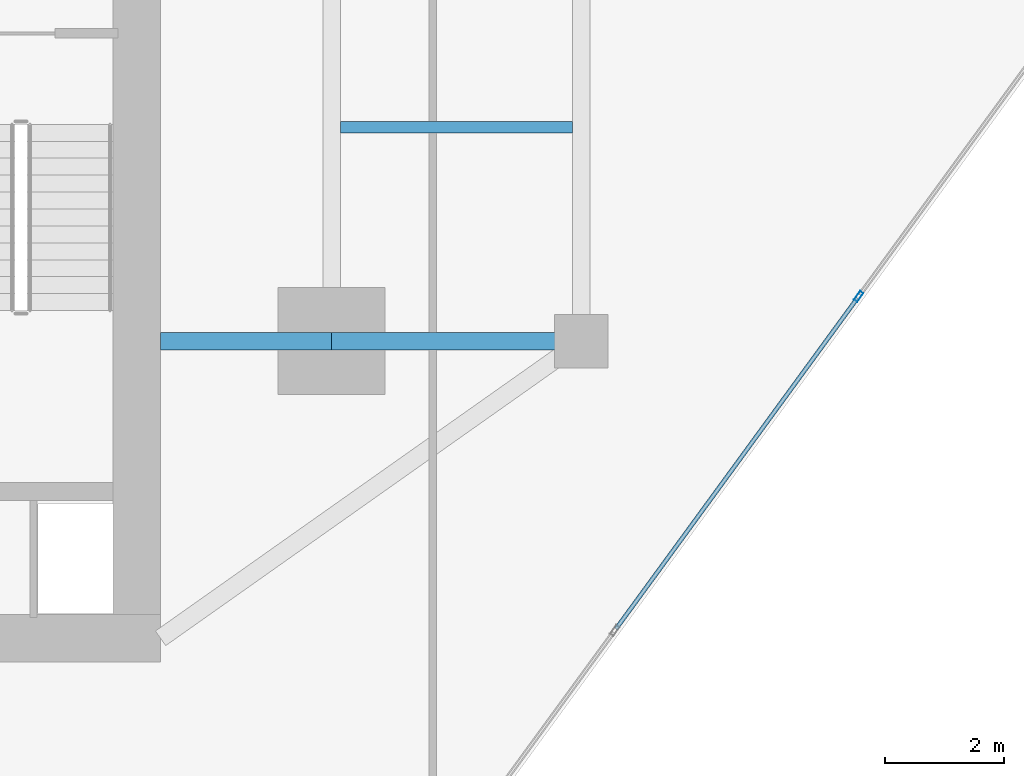
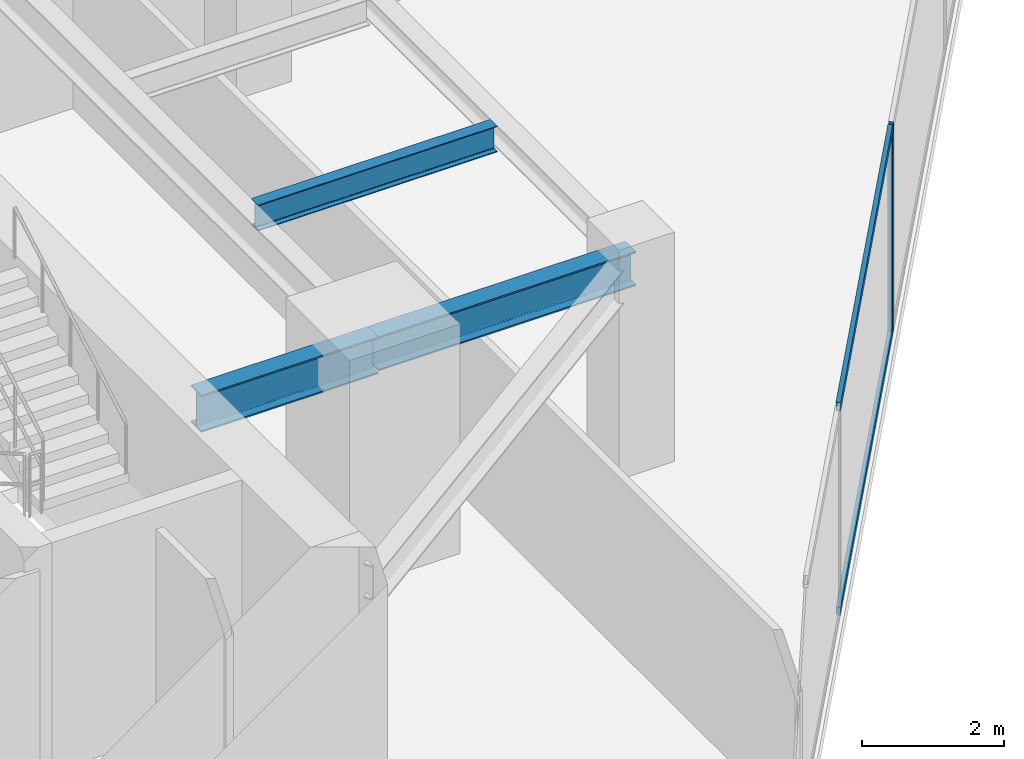
# One storey, part 9 of 25: 3 beams, 3 members, 1 element without a shape of its own.
"""IFC4 building model written with IfcOpenShell, lengths in metres."""

from ifc_helpers import new_model, si_unit, direction, frame, origin, origin_2d, place, context, subcontext, project, spatial, hollow_rectangle, i_section, extrude, source, transform, mapped, material, material_profile, profile_set, type_object, type_shapes, element, aggregate, save


model = new_model("IFC4")

# Units and contexts
model_context = context("Model", 3, precision=1e-05, world=origin(), true_north=direction((0.0, 1.0)))
body_context = subcontext(model_context, "Body", "Model", "MODEL_VIEW")
ifc_project = project(units=[si_unit("LENGTHUNIT", "METRE"), si_unit("AREAUNIT", "SQUARE_METRE"), si_unit("VOLUMEUNIT", "CUBIC_METRE"), si_unit("PLANEANGLEUNIT", "RADIAN"), si_unit("MASSUNIT", "GRAM", prefix="KILO")], contexts=[model_context])

# Site, building, storey
site_placement = place(None, origin())
site = spatial("IfcSite", under=ifc_project, at=site_placement, CompositionType="ELEMENT")
building_placement = place(site_placement, origin())
building = spatial("IfcBuilding", under=site, at=building_placement, Name="Krantzveldt Concourse Tower", CompositionType="ELEMENT")
storey_placement = place(building_placement, frame((0.0, 0.0, 197.550048828125)))
storey = spatial("IfcBuildingStorey", under=building, at=storey_placement, Name="L48", CompositionType="ELEMENT", Elevation=197.550048828125)

# Beams
ifc_material_1 = material(Name="Steel S355JR", Category="steel")
ifc_material_profile_1 = material_profile(ifc_material_1, i_section(OverallWidth=0.300048828125, OverallDepth=0.590087890625, WebThickness=0.012939453125, FlangeThickness=0.02490234375, FilletRadius=0.027099609375, at=origin_2d()), Name="Steel S355JR", Category="steel")
ifc_profile_set_1 = profile_set([ifc_material_profile_1], Name="Steel S355JR - HEA 600")
beam_type_1 = type_object("IfcBeamType", Name="BM-B-HEA600", PredefinedType="BEAM", material=ifc_profile_set_1)
shared_shape_1 = source(origin(), body_context, "Body", "SweptSolid", [
    extrude(i_section(OverallWidth=0.300048828125, OverallDepth=0.590087890625, WebThickness=0.012939453125, FlangeThickness=0.02490234375, FilletRadius=0.027099609375, at=origin_2d()), origin(), (0.0, 0.0, 1.0), 4.199951171875),
])
type_shapes(beam_type_1, [shared_shape_1])
beam_1_placement = place(storey_placement, frame((46.800048828125, 15.89990234375, 3.294921875), z_axis=(1.0, 0.0, 0.0), x_axis=(0.0, 1.0, 0.0)))
element("IfcBeam", 1, at=beam_1_placement, inside=storey, type_object=beam_type_1, Name="L48 Tower Girder BR-RR1", PredefinedType="BEAM", context=body_context, shape_type="MappedRepresentation", body=[
    mapped(shared_shape_1, transform((0.0, 0.0, 0.0), x_axis=(1.0, 0.0, 0.0), y_axis=(0.0, 1.0, 0.0), z_axis=(0.0, 0.0, 1.0), scale=1.0)),
])
ifc_material_profile_2 = material_profile(ifc_material_1, i_section(OverallWidth=0.300048828125, OverallDepth=0.639892578125, WebThickness=0.013427734375, FlangeThickness=0.02587890625, FilletRadius=0.027099609375, at=origin_2d()), Name="Steel S355JR", Category="steel")
ifc_profile_set_2 = profile_set([ifc_material_profile_2], Name="Steel S355JR - HEA 650")
beam_type_2 = type_object("IfcBeamType", Name="BM-B-HEA650", PredefinedType="BEAM", material=ifc_profile_set_2)
shared_shape_2 = source(origin(), body_context, "Body", "SweptSolid", [
    extrude(i_section(OverallWidth=0.300048828125, OverallDepth=0.639892578125, WebThickness=0.013427734375, FlangeThickness=0.02587890625, FilletRadius=0.027099609375, at=origin_2d()), origin(), (0.0, 0.0, 1.0), 2.880126953125),
])
type_shapes(beam_type_2, [shared_shape_2])
beam_2_placement = place(storey_placement, frame((43.919921875, 15.89990234375, 3.27001953125), z_axis=(1.0, 0.0, 0.0), x_axis=(0.0, 1.0, 0.0)))
element("IfcBeam", 2, at=beam_2_placement, inside=storey, type_object=beam_type_2, Name="L48 Tower Girder BG-CE1", PredefinedType="BEAM", context=body_context, shape_type="MappedRepresentation", body=[
    mapped(shared_shape_2, transform((0.0, 0.0, 0.0), x_axis=(1.0, 0.0, 0.0), y_axis=(0.0, 1.0, 0.0), z_axis=(0.0, 0.0, 1.0), scale=1.0)),
])
ifc_material_profile_3 = material_profile(ifc_material_1, i_section(OverallWidth=0.18994140625, OverallDepth=0.449951171875, WebThickness=0.009521484375, FlangeThickness=0.0146484375, FilletRadius=0.02099609375, at=origin_2d()), Name="Steel S355JR", Category="steel")
ifc_profile_set_3 = profile_set([ifc_material_profile_3], Name="Steel S355JR - IPE 450")
beam_type_3 = type_object("IfcBeamType", Name="BM-J-IPE450", PredefinedType="JOIST", material=ifc_profile_set_3)
shared_shape_3 = source(origin(), body_context, "Body", "SweptSolid", [
    extrude(i_section(OverallWidth=0.18994140625, OverallDepth=0.449951171875, WebThickness=0.009521484375, FlangeThickness=0.0146484375, FilletRadius=0.02099609375, at=origin_2d()), origin(), (0.0, 0.0, 1.0), 3.900146484375),
])
type_shapes(beam_type_3, [shared_shape_3])
beam_3_placement = place(storey_placement, frame((46.949951171875, 19.5, 3.364990234375), z_axis=(1.0, 0.0, 0.0), x_axis=(0.0, 1.0, 0.0)))
element("IfcBeam", 3, at=beam_3_placement, inside=storey, type_object=beam_type_3, Name="L48 Secondary Floor Joist JE-1", PredefinedType="JOIST", context=body_context, shape_type="MappedRepresentation", body=[
    mapped(shared_shape_3, transform((0.0, 0.0, 0.0), x_axis=(1.0, 0.0, 0.0), y_axis=(0.0, 1.0, 0.0), z_axis=(0.0, 0.0, 1.0), scale=1.0)),
])

# Curtain wall, members
ifc_material_2 = material(Name="Anodised aluminium 6063-T6", Category="aluminium")
curtain_wall_type = type_object("IfcCurtainWallType", Name="CW3", PredefinedType="USERDEFINED", material=ifc_material_2)
curtain_wall_placement = place(storey_placement, origin())
curtain_wall = element("IfcCurtainWall", 4, at=curtain_wall_placement, inside=storey, type_object=curtain_wall_type, Name="CW-L48-F07", ObjectType="UNITISED CURTAIN WALL", PredefinedType="USERDEFINED")
ifc_material_profile_4 = material_profile(ifc_material_2, hollow_rectangle(XDim=0.070068359375, YDim=0.179931640625, WallThickness=0.0048828125, at=origin_2d()), Name="Anodised aluminium 6063-T6", Category="aluminium")
ifc_profile_set_4 = profile_set([ifc_material_profile_4], Name="Anodised aluminium 6063-T6 - ALU-MULL 180x70x5")
member_type_1 = type_object("IfcMemberType", Name="CW-MUL-180", PredefinedType="MULLION", material=ifc_profile_set_4)
shared_shape_4 = source(origin(), body_context, "Body", "SweptSolid", [
    extrude(hollow_rectangle(XDim=0.070068359375, YDim=0.179931640625, WallThickness=0.0048828125, at=origin_2d()), origin(), (0.0, 0.0, 1.0), 3.58984375),
])
type_shapes(member_type_1, [shared_shape_4])
member_1_placement = place(storey_placement, frame((55.668212890625, 16.65283203125, 0.0), z_axis=(0.0, 0.0, 1.0), x_axis=(-0.807732735781, 0.589548833895, 0.0)))
member_1 = element("IfcMember", 5, at=member_1_placement, type_object=member_type_1, Name="CW-Z34 mullion 4", PredefinedType="MULLION", context=body_context, shape_type="MappedRepresentation", body=[
    mapped(shared_shape_4, transform((0.0, 0.0, 0.0), x_axis=(1.0, 0.0, 0.0), y_axis=(0.0, 1.0, 0.0), z_axis=(0.0, 0.0, 1.0), scale=1.0)),
])
ifc_material_profile_5 = material_profile(ifc_material_2, hollow_rectangle(XDim=0.070068359375, YDim=0.139892578125, WallThickness=0.0048828125, at=origin_2d()), Name="Anodised aluminium 6063-T6", Category="aluminium")
ifc_profile_set_5 = profile_set([ifc_material_profile_5], Name="Anodised aluminium 6063-T6 - ALU-TRAN 140x70x5")
member_type_2 = type_object("IfcMemberType", Name="CW-TRN-150", PredefinedType="USERDEFINED", material=ifc_profile_set_5)
shared_shape_5 = source(origin(), body_context, "Body", "SweptSolid", [
    extrude(hollow_rectangle(XDim=0.070068359375, YDim=0.139892578125, WallThickness=0.0048828125, at=origin_2d()), origin(), (0.0, 0.0, 1.0), 6.889892578125),
])
type_shapes(member_type_2, [shared_shape_5])
member_2_placement = place(storey_placement, frame((51.585693359375, 11.059326171875, 0.034912109375), z_axis=(0.589557179589, 0.807726644352, 0.0), x_axis=(-0.807726644352, 0.589557179589, 0.0)))
member_2 = element("IfcMember", 6, at=member_2_placement, type_object=member_type_2, Name="CW-Z34 transom 3.1", ObjectType="TRANSOM", PredefinedType="USERDEFINED", context=body_context, shape_type="MappedRepresentation", body=[
    mapped(shared_shape_5, transform((0.0, 0.0, 0.0), x_axis=(1.0, 0.0, 0.0), y_axis=(0.0, 1.0, 0.0), z_axis=(0.0, 0.0, 1.0), scale=1.0)),
])
member_3_placement = place(storey_placement, frame((51.585693359375, 11.059326171875, 3.554931640625), z_axis=(0.589557179589, 0.807726644352, 0.0), x_axis=(-0.807726644352, 0.589557179589, 0.0)))
member_3 = element("IfcMember", 7, at=member_3_placement, type_object=member_type_2, Name="CW-Z34 transom 3.2", ObjectType="TRANSOM", PredefinedType="USERDEFINED", context=body_context, shape_type="MappedRepresentation", body=[
    mapped(shared_shape_5, transform((0.0, 0.0, 0.0), x_axis=(1.0, 0.0, 0.0), y_axis=(0.0, 1.0, 0.0), z_axis=(0.0, 0.0, 1.0), scale=1.0)),
])
aggregate(curtain_wall, [member_1, member_2, member_3])

save(model, "model.ifc")
